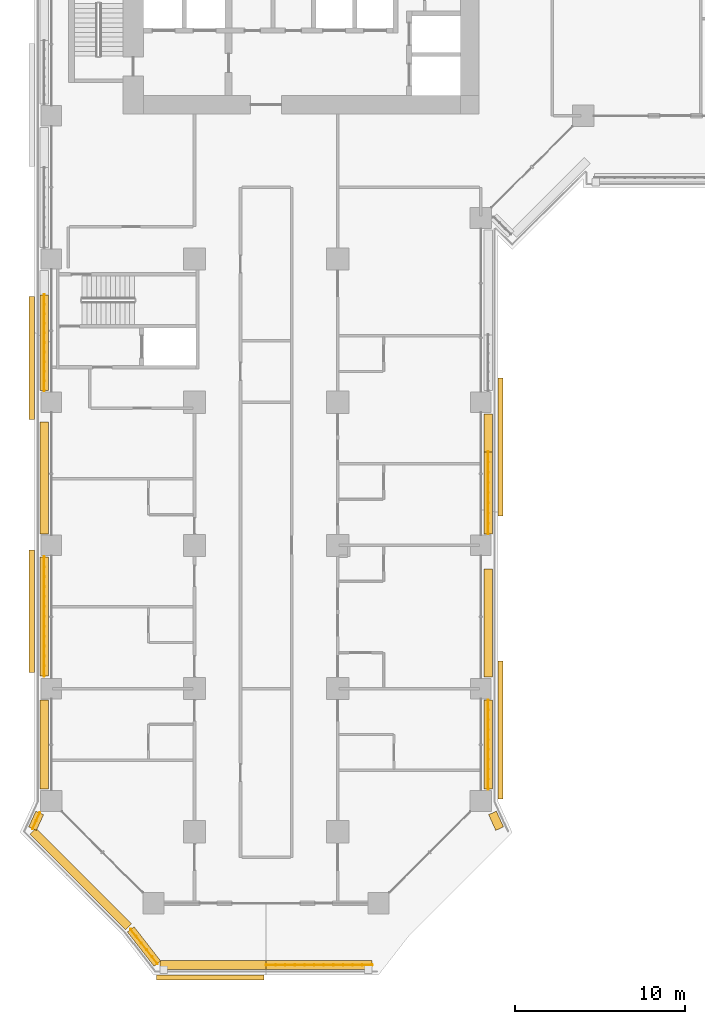
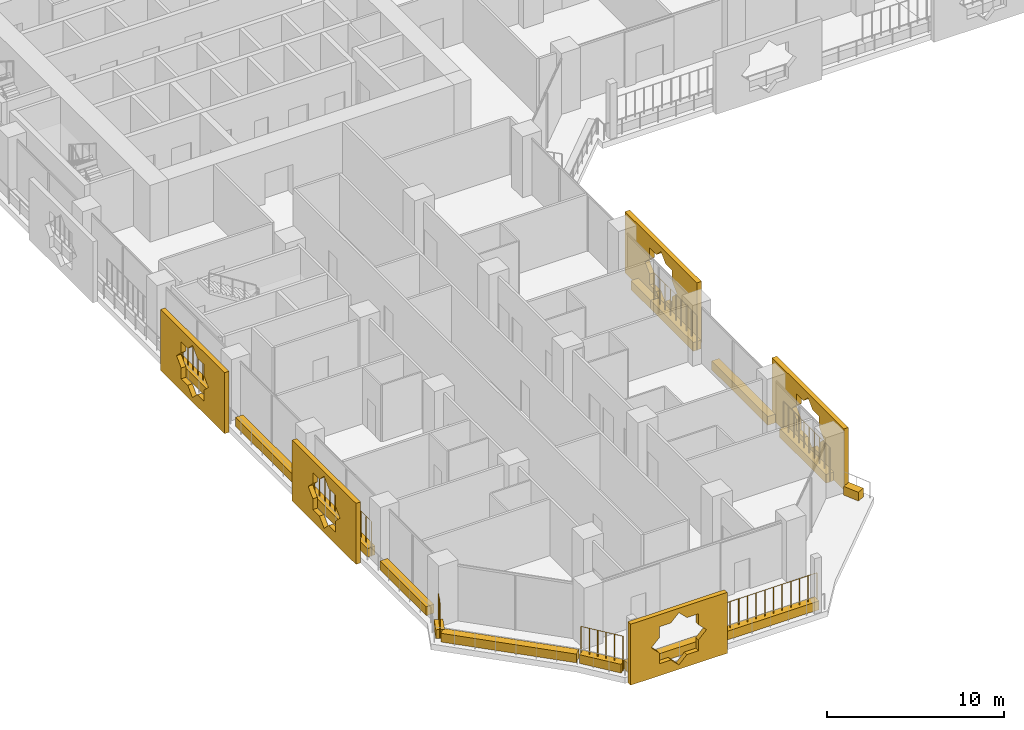
# One storey, part 21 of 28: 19 coverings, 7 railings.
"""IFC4 building model written with IfcOpenShell, lengths in metres."""

import ifcopenshell
import ifcopenshell.guid

model = None  # the IFC model being written
_history = None  # IfcOwnerHistory: only IFC2X3 demands one
_inside = {}  # id of a spatial element -> (the spatial element, [elements in it])
_under = {}  # id of a project, library or spatial element -> (it, [spatial elements below it])
_declared = {}  # id of a project -> (the project, [libraries it declares])
_typed = {}  # id of a type object -> (the type object, [elements of that type])
_made_of = {}  # id of a material, layer set ... -> (it, [elements and type objects made of it])


def new_model(schema):
    """Start an empty IFC model of exactly this schema.

    Asked for "IFC4X3", IfcOpenShell would pick the latest addendum, in which some entities
    have other attributes; the version numbers below select the first issue.
    IFC2X3 requires an IfcOwnerHistory on every rooted entity: one is made here for all.
    """
    global model, _history
    if schema == "IFC4X3":
        model = ifcopenshell.file(schema_version=(4, 3, 0, 0))
    else:
        model = ifcopenshell.file(schema=schema)
    _inside.clear()
    _under.clear()
    _declared.clear()
    _typed.clear()
    _made_of.clear()
    _history = None
    if model.schema == "IFC2X3":
        org = make("IfcOrganization", Name="unknown")
        user = make(
            "IfcPersonAndOrganization",
            ThePerson=make("IfcPerson", FamilyName="unknown"),
            TheOrganization=org,
        )
        app = make(
            "IfcApplication",
            ApplicationDeveloper=org,
            Version="unknown",
            ApplicationFullName="unknown",
            ApplicationIdentifier="unknown",
        )
        _history = make(
            "IfcOwnerHistory",
            OwningUser=user,
            OwningApplication=app,
            ChangeAction="ADDED",
            CreationDate=0,
        )
    return model


def make(cls, **values):
    """One entity of the class cls with the attributes given. An attribute that is None is left unset."""
    return model.create_entity(
        cls, **{name: value for name, value in values.items() if value is not None}
    )


def rooted(cls, **values):
    """An entity with a GlobalId (a new one), such as an element, a storey or a relation."""
    return make(cls, GlobalId=ifcopenshell.guid.new(), OwnerHistory=_history, **values)


def si_unit(unit_type, name, prefix=None):
    """IfcSIUnit, for example si_unit("LENGTHUNIT", "METRE", prefix="MILLI")."""
    return make("IfcSIUnit", UnitType=unit_type, Prefix=prefix, Name=name)


def assignment(units):
    """IfcUnitAssignment: the units of a project."""
    return None if units is None else make("IfcUnitAssignment", Units=units)


def point(xyz):
    """IfcCartesianPoint."""
    return None if xyz is None else make("IfcCartesianPoint", Coordinates=xyz)


def direction(xyz):
    """IfcDirection."""
    return None if xyz is None else make("IfcDirection", DirectionRatios=xyz)


def frame(location, z_axis=None, x_axis=None):
    """IfcAxis2Placement3D, a coordinate frame: its origin and axes. An axis left out is left unset."""
    return make(
        "IfcAxis2Placement3D",
        Location=point(location),
        Axis=direction(z_axis),
        RefDirection=direction(x_axis),
    )


def frame_2d(location, x_axis=None):
    """IfcAxis2Placement2D, a coordinate frame in the plane: its origin and x axis."""
    return make(
        "IfcAxis2Placement2D", Location=point(location), RefDirection=direction(x_axis)
    )


def origin():
    """The frame at (0, 0, 0) with its axes left unset."""
    return frame((0.0, 0.0, 0.0))


def origin_2d():
    """The frame at (0, 0) in the plane with its x axis left unset."""
    return frame_2d((0.0, 0.0))


def place(relative_to, where):
    """IfcLocalPlacement: puts the frame where relative to a parent placement (None: the world)."""
    return make(
        "IfcLocalPlacement", PlacementRelTo=relative_to, RelativePlacement=where
    )


def context(
    kind, dimensions, precision=None, world=None, true_north=None, identifier=None
):
    """IfcGeometricRepresentationContext, for example the 3D "Model" context."""
    return make(
        "IfcGeometricRepresentationContext",
        ContextIdentifier=identifier,
        ContextType=kind,
        CoordinateSpaceDimension=dimensions,
        Precision=precision,
        WorldCoordinateSystem=world,
        TrueNorth=true_north,
    )


def subcontext(parent, identifier, kind, view, scale=None):
    """IfcGeometricRepresentationSubContext, for example "Body" below "Model"."""
    return make(
        "IfcGeometricRepresentationSubContext",
        ContextIdentifier=identifier,
        ContextType=kind,
        ParentContext=parent,
        TargetScale=scale,
        TargetView=view,
    )


def project(units=None, contexts=None):
    """IfcProject with its units and contexts."""
    return rooted(
        "IfcProject",
        Name="project",
        RepresentationContexts=contexts,
        UnitsInContext=assignment(units),
    )


def spatial(cls, under=None, at=None, **own):
    """A site, building, storey or space (cls), placed at a placement, below another one or the project."""
    s = rooted(cls, ObjectPlacement=at, **own)
    if under is not None:
        _under.setdefault(under.id(), (under, []))[1].append(s)
    return s


def polyline(points):
    """IfcPolyline through the points."""
    return make("IfcPolyline", Points=[point(p) for p in points])


def profile(cls, at=None, kind="AREA", **sizes):
    """A parametric profile (cls). Its sizes go by their IFC names, for example OverallWidth=200.0."""
    return make(cls, ProfileType=kind, Position=at, **sizes)


def rectangle(**sizes):
    """IfcRectangleProfileDef."""
    return profile("IfcRectangleProfileDef", **sizes)


def circle(**sizes):
    """IfcCircleProfileDef."""
    return profile("IfcCircleProfileDef", **sizes)


def outline(outer, holes=None, kind="AREA"):
    """IfcArbitraryClosedProfileDef: a profile drawn as a closed curve; with holes, ...WithVoids."""
    if holes is None:
        return make("IfcArbitraryClosedProfileDef", ProfileType=kind, OuterCurve=outer)
    return make(
        "IfcArbitraryProfileDefWithVoids",
        ProfileType=kind,
        OuterCurve=outer,
        InnerCurves=holes,
    )


def extrude(swept, where, along, depth):
    """IfcExtrudedAreaSolid: the profile swept, set in the frame where, extruded along a direction by depth."""
    return make(
        "IfcExtrudedAreaSolid",
        SweptArea=swept,
        Position=where,
        ExtrudedDirection=direction(along),
        Depth=depth,
    )


def shape(context_of_items, identifier, shape_type, items):
    """IfcShapeRepresentation: the items that make up one representation, for example the "Body"."""
    return make(
        "IfcShapeRepresentation",
        ContextOfItems=context_of_items,
        RepresentationIdentifier=identifier,
        RepresentationType=shape_type,
        Items=items,
    )


def material(Name=None, Category=None):
    """IfcMaterial."""
    return make("IfcMaterial", Name=Name, Category=Category)


def material_profile(
    of_material, cross_section, Name=None, Category=None, Priority=None
):
    """IfcMaterialProfile: a cross section and its material."""
    return make(
        "IfcMaterialProfile",
        Name=Name,
        Material=of_material,
        Profile=cross_section,
        Priority=Priority,
        Category=Category,
    )


def profile_set(profiles, Name=None, composite=None):
    """IfcMaterialProfileSet."""
    return make(
        "IfcMaterialProfileSet",
        Name=Name,
        MaterialProfiles=profiles,
        CompositeProfile=composite,
    )


def made_of(thing, what):
    """Note that an element or type object is made of a material, layer set ...; save() writes the relation."""
    if what is not None:
        _made_of.setdefault(what.id(), (what, []))[1].append(thing)
    return thing


def type_object(cls, material=None, **own):
    """A type object (cls), such as IfcWallType, which elements share."""
    return made_of(rooted(cls, **own), material)


def element(
    cls,
    number,
    at=None,
    inside=None,
    cuts=None,
    type_object=None,
    material=None,
    context=None,
    identifier="Body",
    shape_type=None,
    held_by="IfcProductDefinitionShape",
    body=None,
    shapes=None,
    **own,
):
    """One element of the class cls, such as IfcWall. Its Tag is "e" and its number.

    at: its placement. inside: the storey or other place that contains it. cuts: it is an
    opening in that element (IfcRelVoidsElement). A single representation is given by context,
    identifier, shape_type and body (its items); several are given by shapes. held_by: the class
    of the entity that holds the representations. save() writes the other relations.
    """
    e = rooted(cls, Tag="e%d" % number, ObjectPlacement=at, **own)
    if body is not None:
        shapes = [shape(context, identifier, shape_type, body)]
    if shapes is not None:
        e.Representation = make(held_by, Representations=shapes)
    if inside is not None:
        _inside.setdefault(inside.id(), (inside, []))[1].append(e)
    if cuts is not None:
        rooted(
            "IfcRelVoidsElement", RelatingBuildingElement=cuts, RelatedOpeningElement=e
        )
    if type_object is not None:
        _typed.setdefault(type_object.id(), (type_object, []))[1].append(e)
    return made_of(e, material)


def aggregate(whole, parts):
    """IfcRelAggregates: a whole, such as a stair, and the parts it consists of."""
    return rooted("IfcRelAggregates", RelatingObject=whole, RelatedObjects=parts)


def save(model, path):
    """Write the relations noted so far, then the file.

    IfcRelAggregates (storeys below a building ...), IfcRelContainedInSpatialStructure (elements
    in a storey), IfcRelDefinesByType, IfcRelAssociatesMaterial and IfcRelDeclares: one each for
    every whole, place, type object, material and project.
    """
    for whole, parts in _under.values():
        aggregate(whole, parts)
    for where, things in _inside.values():
        rooted(
            "IfcRelContainedInSpatialStructure",
            RelatedElements=things,
            RelatingStructure=where,
        )
    for kind, things in _typed.values():
        rooted("IfcRelDefinesByType", RelatedObjects=things, RelatingType=kind)
    for what, things in _made_of.values():
        rooted("IfcRelAssociatesMaterial", RelatedObjects=things, RelatingMaterial=what)
    for by, libraries in _declared.values():
        rooted("IfcRelDeclares", RelatingContext=by, RelatedDefinitions=libraries)
    model.write(path)


model = new_model("IFC4")

# Units and contexts
model_context = context("Model", 3, precision=1e-05, world=origin(), true_north=direction((0.0, 1.0)))
body_context = subcontext(model_context, "Body", "Model", "MODEL_VIEW")
ifc_project = project(units=[si_unit("LENGTHUNIT", "METRE"), si_unit("AREAUNIT", "SQUARE_METRE"), si_unit("VOLUMEUNIT", "CUBIC_METRE"), si_unit("PLANEANGLEUNIT", "RADIAN"), si_unit("MASSUNIT", "GRAM", prefix="KILO")], contexts=[model_context])

# Site, building, storey
site_placement = place(None, origin())
site = spatial("IfcSite", under=ifc_project, at=site_placement, CompositionType="ELEMENT")
building_placement = place(site_placement, origin())
building = spatial("IfcBuilding", under=site, at=building_placement, Name="Kawkab Arch Medical Tower", CompositionType="ELEMENT")
storey_placement = place(building_placement, frame((0.0, 0.0, 68.60009765625)))
storey = spatial("IfcBuildingStorey", under=building, at=storey_placement, Name="L15", CompositionType="ELEMENT", Elevation=68.60009765625)

# Coverings
ifc_material_1 = material(Name="Bronze anodised aluminium mashrabiya panel, eight-point star pattern", Category="aluminium")
ifc_material_profile_1 = material_profile(ifc_material_1, outline(polyline([(-3.14990234375, -2.10009765625), (3.14990234375, -2.10009765625), (3.14990234375, 2.10009765625), (-3.14990234375, 2.10009765625), (-3.14990234375, -2.10009765625)]), holes=[polyline([(1.800048828125, 0.0), (1.272705078125, 0.527099609375), (1.272705078125, 1.272705078125), (0.527099609375, 1.272705078125), (0.0, 1.800048828125), (-0.527099609375, 1.272705078125), (-1.272705078125, 1.272705078125), (-1.272705078125, 0.527099609375), (-1.800048828125, 0.0), (-1.272705078125, -0.527099609375), (-1.272705078125, -1.272705078125), (-0.527099609375, -1.272705078125), (0.0, -1.800048828125), (0.527099609375, -1.272705078125), (1.272705078125, -1.272705078125), (1.272705078125, -0.527099609375), (1.800048828125, 0.0)])]), Name="Mashrabiya panel 6300x4200")
ifc_profile_set_1 = profile_set([ifc_material_profile_1], Name="Bronze anodised aluminium mashrabiya panel, eight-point star pattern")
covering_type_1 = type_object("IfcCoveringType", Name="Mashrabiya panel 6300 x 4200", PredefinedType="USERDEFINED", material=ifc_profile_set_1)
covering_1_placement = place(storey_placement, frame((9.322509765625, -75.60009765625, 1.699951171875), z_axis=(0.0, -1.0, 0.0), x_axis=(1.0, 0.0, 0.0)))
element("IfcCovering", 1, at=covering_1_placement, inside=storey, type_object=covering_type_1, Name="Mashrabiya panel L15.LOG-01-01.1", ObjectType="SCREEN", PredefinedType="USERDEFINED", context=body_context, shape_type="SweptSolid", body=[
    extrude(outline(polyline([(-3.14990234375, -2.10009765625), (3.14990234375, -2.10009765625), (3.14990234375, 2.10009765625), (-3.14990234375, 2.10009765625), (-3.14990234375, -2.10009765625)]), holes=[polyline([(1.800048828125, 0.0), (1.272705078125, 0.527099609375), (1.272705078125, 1.272705078125), (0.527099609375, 1.272705078125), (0.0, 1.800048828125), (-0.527099609375, 1.272705078125), (-1.272705078125, 1.272705078125), (-1.272705078125, 0.527099609375), (-1.800048828125, 0.0), (-1.272705078125, -0.527099609375), (-1.272705078125, -1.272705078125), (-0.527099609375, -1.272705078125), (0.0, -1.800048828125), (0.527099609375, -1.272705078125), (1.272705078125, -1.272705078125), (1.272705078125, -0.527099609375), (1.800048828125, 0.0)])]), origin(), (0.0, 0.0, 1.0), 0.2998046875),
])
ifc_material_2 = material(Name="Bronze anodised aluminium mashrabiya panel, eight-point star pattern", Category="aluminium")
ifc_material_profile_2 = material_profile(ifc_material_2, outline(polyline([(-3.60009765625, -2.10009765625), (3.60009765625, -2.10009765625), (3.60009765625, 2.10009765625), (-3.60009765625, 2.10009765625), (-3.60009765625, -2.10009765625)]), holes=[polyline([(1.800048828125, 0.0), (1.272705078125, 0.527099609375), (1.272705078125, 1.272705078125), (0.527099609375, 1.272705078125), (0.0, 1.800048828125), (-0.527099609375, 1.272705078125), (-1.272705078125, 1.272705078125), (-1.272705078125, 0.527099609375), (-1.800048828125, 0.0), (-1.272705078125, -0.527099609375), (-1.272705078125, -1.272705078125), (-0.527099609375, -1.272705078125), (0.0, -1.800048828125), (0.527099609375, -1.272705078125), (1.272705078125, -1.272705078125), (1.272705078125, -0.527099609375), (1.800048828125, 0.0)])]), Name="Mashrabiya panel 7200x4200")
ifc_profile_set_2 = profile_set([ifc_material_profile_2], Name="Bronze anodised aluminium mashrabiya panel, eight-point star pattern")
covering_type_2 = type_object("IfcCoveringType", Name="Mashrabiya panel 7200 x 4200", PredefinedType="USERDEFINED", material=ifc_profile_set_2)
for number, where, z_axis, x_axis, name in (
    (2, (-1.0, -54.263916015625, 1.699951171875), (-1.0, 0.0, 0.0), (0.0, -1.0, 0.0), "Mashrabiya panel L15.LOG-01-01.2"),
    (3, (-1.0, -39.412841796875, 1.699951171875), (-1.0, 0.0, 0.0), (0.0, -1.0, 0.0), "Mashrabiya panel L15.LOG-01-01.3"),
):
    element("IfcCovering", number, at=place(storey_placement, frame(where, z_axis=z_axis, x_axis=x_axis)), inside=storey, type_object=covering_type_2, Name=name, ObjectType="SCREEN", PredefinedType="USERDEFINED", context=body_context, shape_type="SweptSolid", body=[
        extrude(outline(polyline([(-3.60009765625, -2.10009765625), (3.60009765625, -2.10009765625), (3.60009765625, 2.10009765625), (-3.60009765625, 2.10009765625), (-3.60009765625, -2.10009765625)]), holes=[polyline([(1.800048828125, 0.0), (1.272705078125, 0.527099609375), (1.272705078125, 1.272705078125), (0.527099609375, 1.272705078125), (0.0, 1.800048828125), (-0.527099609375, 1.272705078125), (-1.272705078125, 1.272705078125), (-1.272705078125, 0.527099609375), (-1.800048828125, 0.0), (-1.272705078125, -0.527099609375), (-1.272705078125, -1.272705078125), (-0.527099609375, -1.272705078125), (0.0, -1.800048828125), (0.527099609375, -1.272705078125), (1.272705078125, -1.272705078125), (1.272705078125, -0.527099609375), (1.800048828125, 0.0)])]), origin(), (0.0, 0.0, 1.0), 0.300048828125),
    ])
ifc_material_3 = material(Name="Bronze anodised aluminium mashrabiya panel, eight-point star pattern", Category="aluminium")
ifc_material_profile_3 = material_profile(ifc_material_3, outline(polyline([(-4.050048828125, -2.10009765625), (4.050048828125, -2.10009765625), (4.050048828125, 2.10009765625), (-4.050048828125, 2.10009765625), (-4.050048828125, -2.10009765625)]), holes=[polyline([(1.800048828125, 0.0), (1.272705078125, 0.527099609375), (1.272705078125, 1.272705078125), (0.527099609375, 1.272705078125), (0.0, 1.800048828125), (-0.527099609375, 1.272705078125), (-1.272705078125, 1.272705078125), (-1.272705078125, 0.527099609375), (-1.800048828125, 0.0), (-1.272705078125, -0.527099609375), (-1.272705078125, -1.272705078125), (-0.527099609375, -1.272705078125), (0.0, -1.800048828125), (0.527099609375, -1.272705078125), (1.272705078125, -1.272705078125), (1.272705078125, -0.527099609375), (1.800048828125, 0.0)])]), Name="Mashrabiya panel 8100x4200")
ifc_profile_set_3 = profile_set([ifc_material_profile_3], Name="Bronze anodised aluminium mashrabiya panel, eight-point star pattern")
covering_type_3 = type_object("IfcCoveringType", Name="Mashrabiya panel 8100 x 4200", PredefinedType="USERDEFINED", material=ifc_profile_set_3)
for number, where, z_axis, x_axis, name in (
    (4, (26.199951171875, -44.639892578125, 1.699951171875), (1.0, 0.0, 0.0), (0.0, 1.0, 0.0), "Mashrabiya panel L15.LOG-01-01.14"),
    (5, (26.199951171875, -61.229736328125, 1.699951171875), (1.0, 0.0, 0.0), (0.0, 1.0, 0.0), "Mashrabiya panel L15.LOG-01-01.15"),
):
    element("IfcCovering", number, at=place(storey_placement, frame(where, z_axis=z_axis, x_axis=x_axis)), inside=storey, type_object=covering_type_3, Name=name, ObjectType="SCREEN", PredefinedType="USERDEFINED", context=body_context, shape_type="SweptSolid", body=[
        extrude(outline(polyline([(-4.050048828125, -2.10009765625), (4.050048828125, -2.10009765625), (4.050048828125, 2.10009765625), (-4.050048828125, 2.10009765625), (-4.050048828125, -2.10009765625)]), holes=[polyline([(1.800048828125, 0.0), (1.272705078125, 0.527099609375), (1.272705078125, 1.272705078125), (0.527099609375, 1.272705078125), (0.0, 1.800048828125), (-0.527099609375, 1.272705078125), (-1.272705078125, 1.272705078125), (-1.272705078125, 0.527099609375), (-1.800048828125, 0.0), (-1.272705078125, -0.527099609375), (-1.272705078125, -1.272705078125), (-0.527099609375, -1.272705078125), (0.0, -1.800048828125), (0.527099609375, -1.272705078125), (1.272705078125, -1.272705078125), (1.272705078125, -0.527099609375), (1.800048828125, 0.0)])]), origin(), (0.0, 0.0, 1.0), 0.300048828125),
    ])
ifc_material_4 = material(Name="Planting soil in a precast trough", Category="concrete")
ifc_material_profile_4 = material_profile(ifc_material_4, rectangle(XDim=0.5, YDim=0.60009765625, at=origin_2d()), Name="Trough 500x600")
ifc_profile_set_4 = profile_set([ifc_material_profile_4], Name="Planting soil in a precast trough")
covering_type_4 = type_object("IfcCoveringType", Name="Planter trough 500 x 600", PredefinedType="USERDEFINED", material=ifc_profile_set_4)
covering_2_placement = place(storey_placement, frame((18.81591796875, -75.02001953125, 0.2998046875), z_axis=(-1.0, 0.0, 0.0), x_axis=(0.0, -1.0, 0.0)))
element("IfcCovering", 6, at=covering_2_placement, inside=storey, type_object=covering_type_4, Name="Planter L15.LOG-01-01.1", ObjectType="PLANTER", PredefinedType="USERDEFINED", context=body_context, shape_type="SweptSolid", body=[
    extrude(rectangle(XDim=0.5, YDim=0.60009765625, at=origin_2d()), origin(), (0.0, 0.0, 1.0), 6.2158203125),
])
covering_3_placement = place(storey_placement, frame((12.60009765625, -75.02001953125, 0.2998046875), z_axis=(-1.0, 0.0, 0.0), x_axis=(0.0, -1.0, 0.0)))
element("IfcCovering", 7, at=covering_3_placement, inside=storey, type_object=covering_type_4, Name="Planter L15.LOG-01-01.2", ObjectType="PLANTER", PredefinedType="USERDEFINED", context=body_context, shape_type="SweptSolid", body=[
    extrude(rectangle(XDim=0.5, YDim=0.60009765625, at=origin_2d()), origin(), (0.0, 0.0, 1.0), 6.216064453125),
])
covering_4_placement = place(storey_placement, frame((6.221923828125, -74.94091796875, 0.2998046875), z_axis=(-0.61404021143, 0.789274742246, 0.0), x_axis=(-0.789274742246, -0.61404021143, 0.0)))
element("IfcCovering", 8, at=covering_4_placement, inside=storey, type_object=covering_type_4, Name="Planter L15.LOG-01-01.3", ObjectType="PLANTER", PredefinedType="USERDEFINED", context=body_context, shape_type="SweptSolid", body=[
    extrude(rectangle(XDim=0.5, YDim=0.60009765625, at=origin_2d()), origin(), (0.0, 0.0, 1.0), 2.54541015625),
])
covering_5_placement = place(storey_placement, frame((4.527099609375, -72.782958984375, 0.2998046875), z_axis=(-0.70712219479, 0.707091367247, 0.0), x_axis=(-0.707091367247, -0.70712219479, 0.0)))
element("IfcCovering", 9, at=covering_5_placement, inside=storey, type_object=covering_type_4, Name="Planter L15.LOG-01-01.4", ObjectType="PLANTER", PredefinedType="USERDEFINED", context=body_context, shape_type="SweptSolid", body=[
    extrude(rectangle(XDim=0.5, YDim=0.60009765625, at=origin_2d()), origin(), (0.0, 0.0, 1.0), 7.919677734375),
])
covering_6_placement = place(storey_placement, frame((-1.10205078125, -67.02099609375, 0.2998046875), z_axis=(0.415071571878, 0.909788761317, 0.0), x_axis=(-0.909788761317, 0.415071571878, 0.0)))
element("IfcCovering", 10, at=covering_6_placement, inside=storey, type_object=covering_type_4, Name="Planter L15.LOG-01-01.5", ObjectType="PLANTER", PredefinedType="USERDEFINED", context=body_context, shape_type="SweptSolid", body=[
    extrude(rectangle(XDim=0.5, YDim=0.60009765625, at=origin_2d()), origin(), (0.0, 0.0, 1.0), 1.0146484375),
])
covering_7_placement = place(storey_placement, frame((-0.419921875, -64.695068359375, 0.2998046875), z_axis=(0.0, 1.0, 0.0), x_axis=(-1.0, 0.0, 0.0)))
element("IfcCovering", 11, at=covering_7_placement, inside=storey, type_object=covering_type_4, Name="Planter L15.LOG-01-01.6", ObjectType="PLANTER", PredefinedType="USERDEFINED", context=body_context, shape_type="SweptSolid", body=[
    extrude(rectangle(XDim=0.5, YDim=0.60009765625, at=origin_2d()), origin(), (0.0, 0.0, 1.0), 5.215087890625),
])
covering_8_placement = place(storey_placement, frame((-0.419921875, -58.069091796875, 0.2998046875), z_axis=(0.0, 1.0, 0.0), x_axis=(-1.0, 0.0, 0.0)))
element("IfcCovering", 12, at=covering_8_placement, inside=storey, type_object=covering_type_4, Name="Planter L15.LOG-01-01.7", ObjectType="PLANTER", PredefinedType="USERDEFINED", context=body_context, shape_type="SweptSolid", body=[
    extrude(rectangle(XDim=0.5, YDim=0.60009765625, at=origin_2d()), origin(), (0.0, 0.0, 1.0), 6.989013671875),
])
covering_9_placement = place(storey_placement, frame((-0.419921875, -49.719970703125, 0.2998046875), z_axis=(0.0, 1.0, 0.0), x_axis=(-1.0, 0.0, 0.0)))
element("IfcCovering", 13, at=covering_9_placement, inside=storey, type_object=covering_type_4, Name="Planter L15.LOG-01-01.8", ObjectType="PLANTER", PredefinedType="USERDEFINED", context=body_context, shape_type="SweptSolid", body=[
    extrude(rectangle(XDim=0.5, YDim=0.60009765625, at=origin_2d()), origin(), (0.0, 0.0, 1.0), 6.56396484375),
])
covering_10_placement = place(storey_placement, frame((-0.419921875, -41.320068359375, 0.2998046875), z_axis=(0.0, 1.0, 0.0), x_axis=(-1.0, 0.0, 0.0)))
element("IfcCovering", 14, at=covering_10_placement, inside=storey, type_object=covering_type_4, Name="Planter L15.LOG-01-01.9", ObjectType="PLANTER", PredefinedType="USERDEFINED", context=body_context, shape_type="SweptSolid", body=[
    extrude(rectangle(XDim=0.5, YDim=0.60009765625, at=origin_2d()), origin(), (0.0, 0.0, 1.0), 5.6201171875),
])
covering_11_placement = place(storey_placement, frame((25.6201171875, -42.679931640625, 0.2998046875), z_axis=(0.0, -1.0, 0.0), x_axis=(1.0, 0.0, 0.0)))
element("IfcCovering", 15, at=covering_11_placement, inside=storey, type_object=covering_type_4, Name="Planter L15.LOG-01-01.46", ObjectType="PLANTER", PredefinedType="USERDEFINED", context=body_context, shape_type="SweptSolid", body=[
    extrude(rectangle(XDim=0.5, YDim=0.60009765625, at=origin_2d()), origin(), (0.0, 0.0, 1.0), 2.240966796875),
])
covering_12_placement = place(storey_placement, frame((25.6201171875, -44.9208984375, 0.2998046875), z_axis=(0.0, -1.0, 0.0), x_axis=(1.0, 0.0, 0.0)))
element("IfcCovering", 16, at=covering_12_placement, inside=storey, type_object=covering_type_4, Name="Planter L15.LOG-01-01.47", ObjectType="PLANTER", PredefinedType="USERDEFINED", context=body_context, shape_type="SweptSolid", body=[
    extrude(rectangle(XDim=0.5, YDim=0.60009765625, at=origin_2d()), origin(), (0.0, 0.0, 1.0), 4.799072265625),
])
covering_13_placement = place(storey_placement, frame((25.6201171875, -51.7890625, 0.2998046875), z_axis=(0.0, -1.0, 0.0), x_axis=(1.0, 0.0, 0.0)))
element("IfcCovering", 17, at=covering_13_placement, inside=storey, type_object=covering_type_4, Name="Planter L15.LOG-01-01.48", ObjectType="PLANTER", PredefinedType="USERDEFINED", context=body_context, shape_type="SweptSolid", body=[
    extrude(rectangle(XDim=0.5, YDim=0.60009765625, at=origin_2d()), origin(), (0.0, 0.0, 1.0), 6.3310546875),
])
covering_14_placement = place(storey_placement, frame((25.6201171875, -59.47998046875, 0.2998046875), z_axis=(0.0, -1.0, 0.0), x_axis=(1.0, 0.0, 0.0)))
element("IfcCovering", 18, at=covering_14_placement, inside=storey, type_object=covering_type_4, Name="Planter L15.LOG-01-01.49", ObjectType="PLANTER", PredefinedType="USERDEFINED", context=body_context, shape_type="SweptSolid", body=[
    extrude(rectangle(XDim=0.5, YDim=0.60009765625, at=origin_2d()), origin(), (0.0, 0.0, 1.0), 5.215087890625),
])
covering_15_placement = place(storey_placement, frame((25.881103515625, -66.097900390625, 0.2998046875), z_axis=(0.414872376122, -0.909879613757, 0.0), x_axis=(0.909879613757, 0.414872376122, 0.0)))
element("IfcCovering", 19, at=covering_15_placement, inside=storey, type_object=covering_type_4, Name="Planter L15.LOG-01-01.50", ObjectType="PLANTER", PredefinedType="USERDEFINED", context=body_context, shape_type="SweptSolid", body=[
    extrude(rectangle(XDim=0.5, YDim=0.60009765625, at=origin_2d()), origin(), (0.0, 0.0, 1.0), 1.014404296875),
])

# Railings
ifc_material_5 = material(Name="Bronze anodised aluminium trellis for climbing plants", Category="aluminium")
railing_type = type_object("IfcRailingType", Name="Planting trellis 2400", PredefinedType="USERDEFINED", material=ifc_material_5)
railing_1_placement = place(storey_placement, frame((18.81591796875, -75.02001953125, 0.0)))
element("IfcRailing", 20, at=railing_1_placement, inside=storey, type_object=railing_type, Name="Planting trellis L15.LOG-01-01.1", ObjectType="TRELLIS", PredefinedType="USERDEFINED", context=body_context, shape_type="SweptSolid", body=[
    extrude(circle(Radius=0.01513671875, at=origin_2d()), frame((0.0, 0.0, 2.384765625), z_axis=(-1.0, 0.0, 0.0), x_axis=(0.0, -1.0, 0.0)), (0.0, 0.0, 1.0), 6.2158203125),
    extrude(circle(Radius=0.030029296875, at=origin_2d()), origin(), (0.0, 0.0, 1.0), 2.369873046875),
    extrude(circle(Radius=0.030029296875, at=origin_2d()), frame((-0.565185546875, 0.0, 0.0)), (0.0, 0.0, 1.0), 2.369873046875),
    extrude(circle(Radius=0.030029296875, at=origin_2d()), frame((-1.130126953125, 0.0, 0.0)), (0.0, 0.0, 1.0), 2.369873046875),
    extrude(circle(Radius=0.030029296875, at=origin_2d()), frame((-1.6953125, 0.0, 0.0)), (0.0, 0.0, 1.0), 2.369873046875),
    extrude(circle(Radius=0.030029296875, at=origin_2d()), frame((-2.26025390625, 0.0, 0.0)), (0.0, 0.0, 1.0), 2.369873046875),
    extrude(circle(Radius=0.030029296875, at=origin_2d()), frame((-2.825439453125, 0.0, 0.0)), (0.0, 0.0, 1.0), 2.369873046875),
    extrude(circle(Radius=0.030029296875, at=origin_2d()), frame((-3.390380859375, 0.0, 0.0)), (0.0, 0.0, 1.0), 2.369873046875),
    extrude(circle(Radius=0.030029296875, at=origin_2d()), frame((-3.95556640625, 0.0, 0.0)), (0.0, 0.0, 1.0), 2.369873046875),
    extrude(circle(Radius=0.030029296875, at=origin_2d()), frame((-4.5205078125, 0.0, 0.0)), (0.0, 0.0, 1.0), 2.369873046875),
    extrude(circle(Radius=0.030029296875, at=origin_2d()), frame((-5.085693359375, 0.0, 0.0)), (0.0, 0.0, 1.0), 2.369873046875),
    extrude(circle(Radius=0.030029296875, at=origin_2d()), frame((-5.650634765625, 0.0, 0.0)), (0.0, 0.0, 1.0), 2.369873046875),
    extrude(circle(Radius=0.030029296875, at=origin_2d()), frame((-6.2158203125, 0.0, 0.0)), (0.0, 0.0, 1.0), 2.369873046875),
])
railing_2_placement = place(storey_placement, frame((6.221923828125, -74.94091796875, 0.0)))
element("IfcRailing", 21, at=railing_2_placement, inside=storey, type_object=railing_type, Name="Planting trellis L15.LOG-01-01.3", ObjectType="TRELLIS", PredefinedType="USERDEFINED", context=body_context, shape_type="SweptSolid", body=[
    extrude(circle(Radius=0.01513671875, at=origin_2d()), frame((0.0, 0.0, 2.384765625), z_axis=(-0.61404021143, 0.789274742246, 0.0), x_axis=(-0.789274742246, -0.61404021143, 0.0)), (0.0, 0.0, 1.0), 2.54541015625),
    extrude(circle(Radius=0.030029296875, at=origin_2d()), origin(), (0.0, 0.0, 1.0), 2.369873046875),
    extrude(circle(Radius=0.030029296875, at=origin_2d()), frame((-0.3125, 0.40185546875, 0.0)), (0.0, 0.0, 1.0), 2.369873046875),
    extrude(circle(Radius=0.030029296875, at=origin_2d()), frame((-0.625244140625, 0.8037109375, 0.0)), (0.0, 0.0, 1.0), 2.369873046875),
    extrude(circle(Radius=0.030029296875, at=origin_2d()), frame((-0.937744140625, 1.205322265625, 0.0)), (0.0, 0.0, 1.0), 2.369873046875),
    extrude(circle(Radius=0.030029296875, at=origin_2d()), frame((-1.25048828125, 1.607177734375, 0.0)), (0.0, 0.0, 1.0), 2.369873046875),
    extrude(circle(Radius=0.030029296875, at=origin_2d()), frame((-1.56298828125, 2.009033203125, 0.0)), (0.0, 0.0, 1.0), 2.369873046875),
])
railing_3_placement = place(storey_placement, frame((-1.10205078125, -67.02099609375, 0.0)))
element("IfcRailing", 22, at=railing_3_placement, inside=storey, type_object=railing_type, Name="Planting trellis L15.LOG-01-01.5", ObjectType="TRELLIS", PredefinedType="USERDEFINED", context=body_context, shape_type="SweptSolid", body=[
    extrude(circle(Radius=0.01513671875, at=origin_2d()), frame((0.0, 0.0, 2.384765625), z_axis=(0.415071571878, 0.909788761317, 0.0), x_axis=(-0.909788761317, 0.415071571878, 0.0)), (0.0, 0.0, 1.0), 1.0146484375),
    extrude(circle(Radius=0.030029296875, at=origin_2d()), origin(), (0.0, 0.0, 1.0), 2.369873046875),
    extrude(circle(Radius=0.030029296875, at=origin_2d()), frame((0.21044921875, 0.46142578125, 0.0)), (0.0, 0.0, 1.0), 2.369873046875),
    extrude(circle(Radius=0.030029296875, at=origin_2d()), frame((0.421142578125, 0.923095703125, 0.0)), (0.0, 0.0, 1.0), 2.369873046875),
])
railing_4_placement = place(storey_placement, frame((-0.419921875, -58.069091796875, 0.0)))
element("IfcRailing", 23, at=railing_4_placement, inside=storey, type_object=railing_type, Name="Planting trellis L15.LOG-01-01.7", ObjectType="TRELLIS", PredefinedType="USERDEFINED", context=body_context, shape_type="SweptSolid", body=[
    extrude(circle(Radius=0.01513671875, at=origin_2d()), frame((0.0, 0.0, 2.384765625), z_axis=(0.0, 1.0, 0.0), x_axis=(-1.0, 0.0, 0.0)), (0.0, 0.0, 1.0), 6.989013671875),
    extrude(circle(Radius=0.030029296875, at=origin_2d()), origin(), (0.0, 0.0, 1.0), 2.369873046875),
    extrude(circle(Radius=0.030029296875, at=origin_2d()), frame((0.0, 0.58251953125, 0.0)), (0.0, 0.0, 1.0), 2.369873046875),
    extrude(circle(Radius=0.030029296875, at=origin_2d()), frame((0.0, 1.164794921875, 0.0)), (0.0, 0.0, 1.0), 2.369873046875),
    extrude(circle(Radius=0.030029296875, at=origin_2d()), frame((0.0, 1.747314453125, 0.0)), (0.0, 0.0, 1.0), 2.369873046875),
    extrude(circle(Radius=0.030029296875, at=origin_2d()), frame((0.0, 2.32958984375, 0.0)), (0.0, 0.0, 1.0), 2.369873046875),
    extrude(circle(Radius=0.030029296875, at=origin_2d()), frame((0.0, 2.912109375, 0.0)), (0.0, 0.0, 1.0), 2.369873046875),
    extrude(circle(Radius=0.030029296875, at=origin_2d()), frame((0.0, 3.49462890625, 0.0)), (0.0, 0.0, 1.0), 2.369873046875),
    extrude(circle(Radius=0.030029296875, at=origin_2d()), frame((0.0, 4.076904296875, 0.0)), (0.0, 0.0, 1.0), 2.369873046875),
    extrude(circle(Radius=0.030029296875, at=origin_2d()), frame((0.0, 4.659423828125, 0.0)), (0.0, 0.0, 1.0), 2.369873046875),
    extrude(circle(Radius=0.030029296875, at=origin_2d()), frame((0.0, 5.24169921875, 0.0)), (0.0, 0.0, 1.0), 2.369873046875),
    extrude(circle(Radius=0.030029296875, at=origin_2d()), frame((0.0, 5.82421875, 0.0)), (0.0, 0.0, 1.0), 2.369873046875),
    extrude(circle(Radius=0.030029296875, at=origin_2d()), frame((0.0, 6.406494140625, 0.0)), (0.0, 0.0, 1.0), 2.369873046875),
    extrude(circle(Radius=0.030029296875, at=origin_2d()), frame((0.0, 6.989013671875, 0.0)), (0.0, 0.0, 1.0), 2.369873046875),
])
railing_5_placement = place(storey_placement, frame((-0.419921875, -41.320068359375, 0.0)))
element("IfcRailing", 24, at=railing_5_placement, inside=storey, type_object=railing_type, Name="Planting trellis L15.LOG-01-01.9", ObjectType="TRELLIS", PredefinedType="USERDEFINED", context=body_context, shape_type="SweptSolid", body=[
    extrude(circle(Radius=0.01513671875, at=origin_2d()), frame((0.0, 0.0, 2.384765625), z_axis=(0.0, 1.0, 0.0), x_axis=(-1.0, 0.0, 0.0)), (0.0, 0.0, 1.0), 5.6201171875),
    extrude(circle(Radius=0.030029296875, at=origin_2d()), origin(), (0.0, 0.0, 1.0), 2.369873046875),
    extrude(circle(Radius=0.030029296875, at=origin_2d()), frame((0.0, 0.56201171875, 0.0)), (0.0, 0.0, 1.0), 2.369873046875),
    extrude(circle(Radius=0.030029296875, at=origin_2d()), frame((0.0, 1.1240234375, 0.0)), (0.0, 0.0, 1.0), 2.369873046875),
    extrude(circle(Radius=0.030029296875, at=origin_2d()), frame((0.0, 1.68603515625, 0.0)), (0.0, 0.0, 1.0), 2.369873046875),
    extrude(circle(Radius=0.030029296875, at=origin_2d()), frame((0.0, 2.248046875, 0.0)), (0.0, 0.0, 1.0), 2.369873046875),
    extrude(circle(Radius=0.030029296875, at=origin_2d()), frame((0.0, 2.81005859375, 0.0)), (0.0, 0.0, 1.0), 2.369873046875),
    extrude(circle(Radius=0.030029296875, at=origin_2d()), frame((0.0, 3.3720703125, 0.0)), (0.0, 0.0, 1.0), 2.369873046875),
    extrude(circle(Radius=0.030029296875, at=origin_2d()), frame((0.0, 3.93408203125, 0.0)), (0.0, 0.0, 1.0), 2.369873046875),
    extrude(circle(Radius=0.030029296875, at=origin_2d()), frame((0.0, 4.49609375, 0.0)), (0.0, 0.0, 1.0), 2.369873046875),
    extrude(circle(Radius=0.030029296875, at=origin_2d()), frame((0.0, 5.05810546875, 0.0)), (0.0, 0.0, 1.0), 2.369873046875),
    extrude(circle(Radius=0.030029296875, at=origin_2d()), frame((0.0, 5.6201171875, 0.0)), (0.0, 0.0, 1.0), 2.369873046875),
])
railing_6_placement = place(storey_placement, frame((25.6201171875, -44.9208984375, 0.0)))
element("IfcRailing", 25, at=railing_6_placement, inside=storey, type_object=railing_type, Name="Planting trellis L15.LOG-01-01.47", ObjectType="TRELLIS", PredefinedType="USERDEFINED", context=body_context, shape_type="SweptSolid", body=[
    extrude(circle(Radius=0.01513671875, at=origin_2d()), frame((0.0, 0.0, 2.384765625), z_axis=(0.0, -1.0, 0.0), x_axis=(1.0, 0.0, 0.0)), (0.0, 0.0, 1.0), 4.799072265625),
    extrude(circle(Radius=0.030029296875, at=origin_2d()), origin(), (0.0, 0.0, 1.0), 2.369873046875),
    extrude(circle(Radius=0.030029296875, at=origin_2d()), frame((0.0, -0.599853515625, 0.0)), (0.0, 0.0, 1.0), 2.369873046875),
    extrude(circle(Radius=0.030029296875, at=origin_2d()), frame((0.0, -1.19970703125, 0.0)), (0.0, 0.0, 1.0), 2.369873046875),
    extrude(circle(Radius=0.030029296875, at=origin_2d()), frame((0.0, -1.799560546875, 0.0)), (0.0, 0.0, 1.0), 2.369873046875),
    extrude(circle(Radius=0.030029296875, at=origin_2d()), frame((0.0, -2.3994140625, 0.0)), (0.0, 0.0, 1.0), 2.369873046875),
    extrude(circle(Radius=0.030029296875, at=origin_2d()), frame((0.0, -2.99951171875, 0.0)), (0.0, 0.0, 1.0), 2.369873046875),
    extrude(circle(Radius=0.030029296875, at=origin_2d()), frame((0.0, -3.599365234375, 0.0)), (0.0, 0.0, 1.0), 2.369873046875),
    extrude(circle(Radius=0.030029296875, at=origin_2d()), frame((0.0, -4.19921875, 0.0)), (0.0, 0.0, 1.0), 2.369873046875),
    extrude(circle(Radius=0.030029296875, at=origin_2d()), frame((0.0, -4.799072265625, 0.0)), (0.0, 0.0, 1.0), 2.369873046875),
])
railing_7_placement = place(storey_placement, frame((25.6201171875, -59.47998046875, 0.0)))
element("IfcRailing", 26, at=railing_7_placement, inside=storey, type_object=railing_type, Name="Planting trellis L15.LOG-01-01.49", ObjectType="TRELLIS", PredefinedType="USERDEFINED", context=body_context, shape_type="SweptSolid", body=[
    extrude(circle(Radius=0.01513671875, at=origin_2d()), frame((0.0, 0.0, 2.384765625), z_axis=(0.0, -1.0, 0.0), x_axis=(1.0, 0.0, 0.0)), (0.0, 0.0, 1.0), 5.215087890625),
    extrude(circle(Radius=0.030029296875, at=origin_2d()), origin(), (0.0, 0.0, 1.0), 2.369873046875),
    extrude(circle(Radius=0.030029296875, at=origin_2d()), frame((0.0, -0.579345703125, 0.0)), (0.0, 0.0, 1.0), 2.369873046875),
    extrude(circle(Radius=0.030029296875, at=origin_2d()), frame((0.0, -1.158935546875, 0.0)), (0.0, 0.0, 1.0), 2.369873046875),
    extrude(circle(Radius=0.030029296875, at=origin_2d()), frame((0.0, -1.73828125, 0.0)), (0.0, 0.0, 1.0), 2.369873046875),
    extrude(circle(Radius=0.030029296875, at=origin_2d()), frame((0.0, -2.31787109375, 0.0)), (0.0, 0.0, 1.0), 2.369873046875),
    extrude(circle(Radius=0.030029296875, at=origin_2d()), frame((0.0, -2.897216796875, 0.0)), (0.0, 0.0, 1.0), 2.369873046875),
    extrude(circle(Radius=0.030029296875, at=origin_2d()), frame((0.0, -3.476806640625, 0.0)), (0.0, 0.0, 1.0), 2.369873046875),
    extrude(circle(Radius=0.030029296875, at=origin_2d()), frame((0.0, -4.05615234375, 0.0)), (0.0, 0.0, 1.0), 2.369873046875),
    extrude(circle(Radius=0.030029296875, at=origin_2d()), frame((0.0, -4.6357421875, 0.0)), (0.0, 0.0, 1.0), 2.369873046875),
    extrude(circle(Radius=0.030029296875, at=origin_2d()), frame((0.0, -5.215087890625, 0.0)), (0.0, 0.0, 1.0), 2.369873046875),
])

save(model, "model.ifc")
